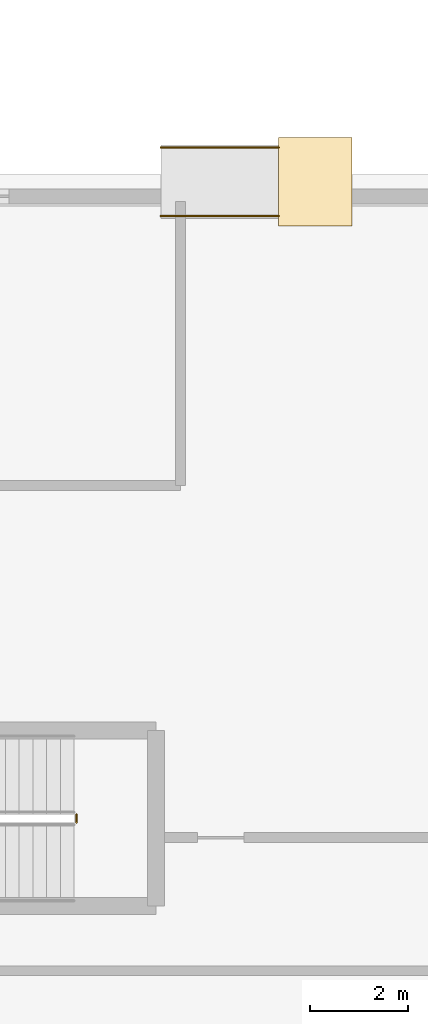
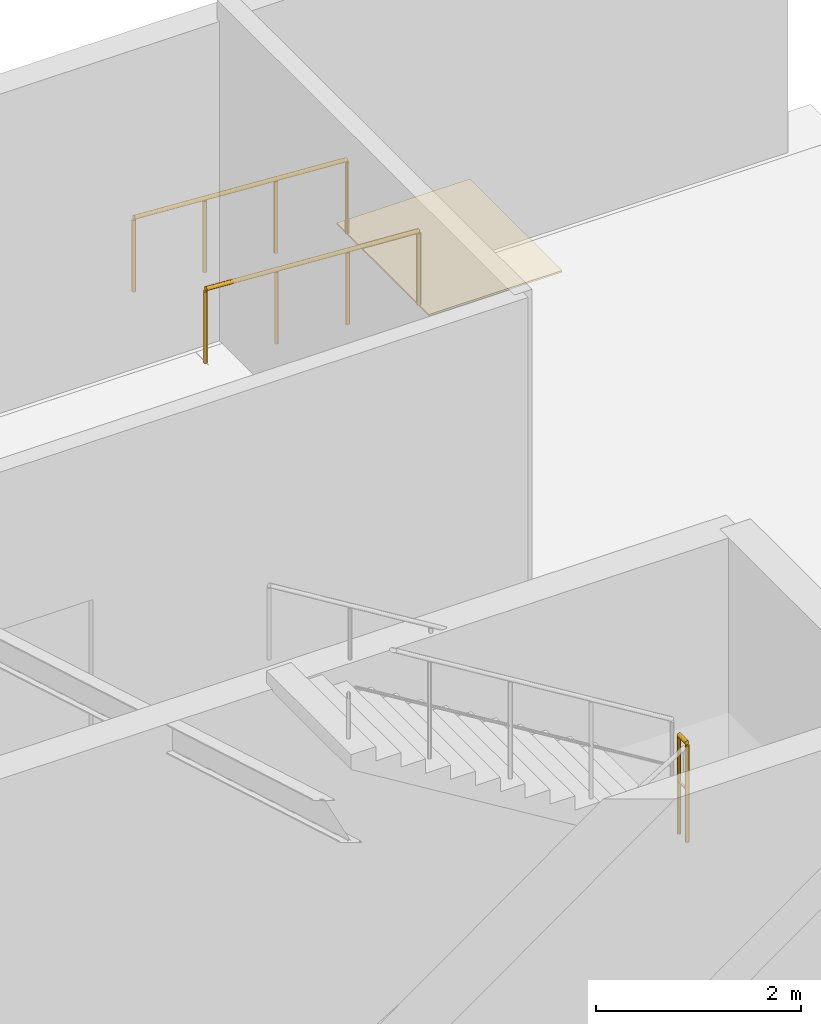
# One storey, part 30 of 31: 3 railings, 1 covering.
"""IFC4 building model written with IfcOpenShell, lengths in metres."""

from ifc_helpers import new_model, si_unit, direction, frame, origin, origin_2d, place, context, subcontext, project, spatial, polyline, circle, outline, extrude, material, layer, layer_set, type_object, element, save


model = new_model("IFC4")

# Units and contexts
model_context = context("Model", 3, precision=1e-05, world=origin(), true_north=direction((0.0, 1.0)))
body_context = subcontext(model_context, "Body", "Model", "MODEL_VIEW")
ifc_project = project(units=[si_unit("LENGTHUNIT", "METRE"), si_unit("AREAUNIT", "SQUARE_METRE"), si_unit("VOLUMEUNIT", "CUBIC_METRE"), si_unit("PLANEANGLEUNIT", "RADIAN"), si_unit("MASSUNIT", "GRAM", prefix="KILO")], contexts=[model_context])

# Site, building, storey
site_placement = place(None, origin())
site = spatial("IfcSite", under=ifc_project, at=site_placement, CompositionType="ELEMENT")
building_placement = place(site_placement, origin())
building = spatial("IfcBuilding", under=site, at=building_placement, Name="Sahyath Konkavel Grand Hotel", CompositionType="ELEMENT")
storey_placement = place(building_placement, origin())
storey = spatial("IfcBuildingStorey", under=building, at=storey_placement, Name="L00", CompositionType="ELEMENT", Elevation=0.0)

# Covering
ifc_material_1 = material(Name="Honed Deccan Basalt and Warm Sandstone Flooring", Category="masonry")
ifc_layer = layer(ifc_material_1, 0.02001953125)
ifc_layer_set = layer_set([ifc_layer], Name="Honed Deccan Basalt and Warm Sandstone Flooring")
covering_type = type_object("IfcCoveringType", Name="COV-STONE-FLR", PredefinedType="FLOORING", material=ifc_layer_set)
covering_placement = place(storey_placement, frame((0.0, 0.0, -0.169921875)))
element("IfcCovering", 1, at=covering_placement, inside=storey, type_object=covering_type, Name="L00 Street Walkway Landing PR-2", PredefinedType="FLOORING", context=body_context, shape_type="SweptSolid", body=[
    extrude(outline(polyline([(29.10009765625, 24.39990234375), (30.60009765625, 24.39990234375), (30.60009765625, 26.199951171875), (29.10009765625, 26.199951171875), (29.10009765625, 24.39990234375)])), origin(), (0.0, 0.0, 1.0), 0.02001953125),
])

# Railings
ifc_material_2 = material(Name="Steel E350", Category="steel")
railing_type_1 = type_object("IfcRailingType", Name="RLG-STAIR-GRD", PredefinedType="GUARDRAIL", material=ifc_material_2)
railing_placement = place(storey_placement, frame((24.97998046875, 12.22998046875, 2.39990234375)))
element("IfcRailing", 2, at=railing_placement, inside=storey, type_object=railing_type_1, Name="L00 ST-P2 stair guard 2", PredefinedType="GUARDRAIL", context=body_context, shape_type="SweptSolid", body=[
    extrude(circle(Radius=0.02392578125, at=origin_2d()), frame((0.0, 0.001953125, 1.17578125), z_axis=(0.0, 1.0, 0.0), x_axis=(-1.0, 0.0, 0.0)), (0.0, 0.0, 1.0), 0.156005859375),
    extrude(circle(Radius=0.01416015625, at=origin_2d()), frame((0.0, 0.001953125, 0.6240234375), z_axis=(0.0, 1.0, 0.0), x_axis=(-1.0, 0.0, 0.0)), (0.0, 0.0, 1.0), 0.156005859375),
    extrude(circle(Radius=0.02099609375, at=origin_2d()), origin(), (0.0, 0.0, 1.0), 1.15185546875),
    extrude(circle(Radius=0.02099609375, at=origin_2d()), frame((0.0, 0.159912109375, 0.0)), (0.0, 0.0, 1.0), 1.15185546875),
])
ifc_material_3 = material(Name="Anodised Bronze Aluminium", Category="aluminium")
railing_type_2 = type_object("IfcRailingType", Name="RLG-STAIR-HND", PredefinedType="HANDRAIL", material=ifc_material_3)
for number, where, name in (
    (3, (29.10009765625, 26.0, -0.14990234375), "Accessible Ramp Handrail PR-2-L"),
    (4, (29.10009765625, 24.60009765625, -0.14990234375), "Accessible Ramp Handrail PR-2-R"),
):
    element("IfcRailing", number, at=place(storey_placement, frame(where)), inside=storey, type_object=railing_type_2, Name=name, PredefinedType="HANDRAIL", context=body_context, shape_type="SweptSolid", body=[
        extrude(circle(Radius=0.02392578125, at=origin_2d()), frame((-0.001953125, 0.0, 0.8759765625), z_axis=(-0.998055342672, 0.0, 0.062334043373), x_axis=(0.0, -1.0, 0.0)), (0.0, 0.0, 1.0), 2.40087890625),
        extrude(circle(Radius=0.02099609375, at=origin_2d()), origin(), (0.0, 0.0, 1.0), 0.851806640625),
        extrude(circle(Radius=0.02099609375, at=origin_2d()), frame((-0.800048828125, 0.0, 0.050048828125)), (0.0, 0.0, 1.0), 0.851806640625),
        extrude(circle(Radius=0.02099609375, at=origin_2d()), frame((-1.60009765625, 0.0, 0.099853515625)), (0.0, 0.0, 1.0), 0.851806640625),
        extrude(circle(Radius=0.02099609375, at=origin_2d()), frame((-2.400146484375, 0.0, 0.14990234375)), (0.0, 0.0, 1.0), 0.851806640625),
    ])

save(model, "model.ifc")
